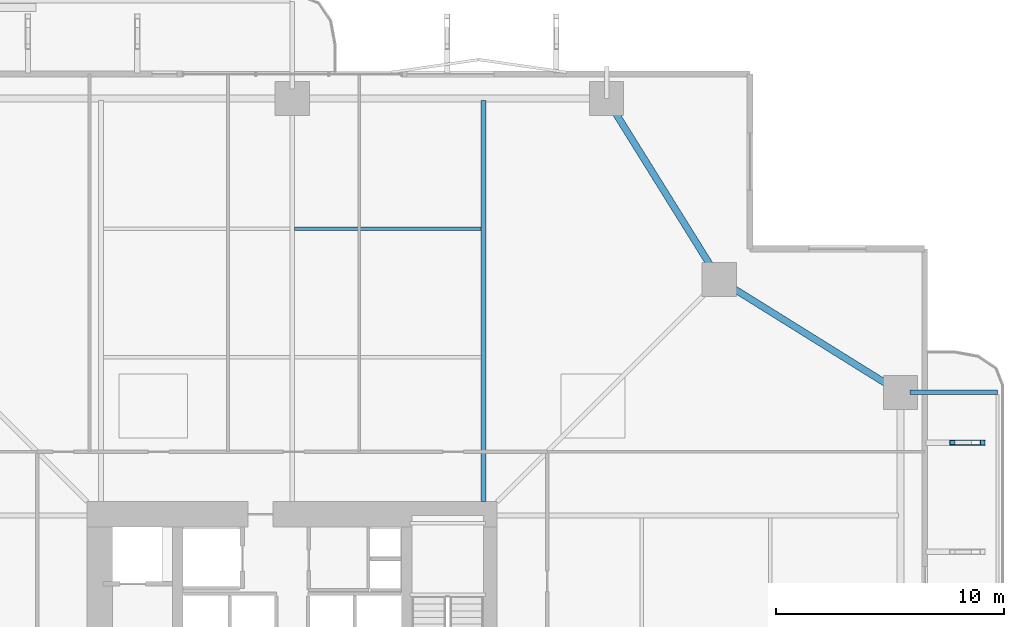
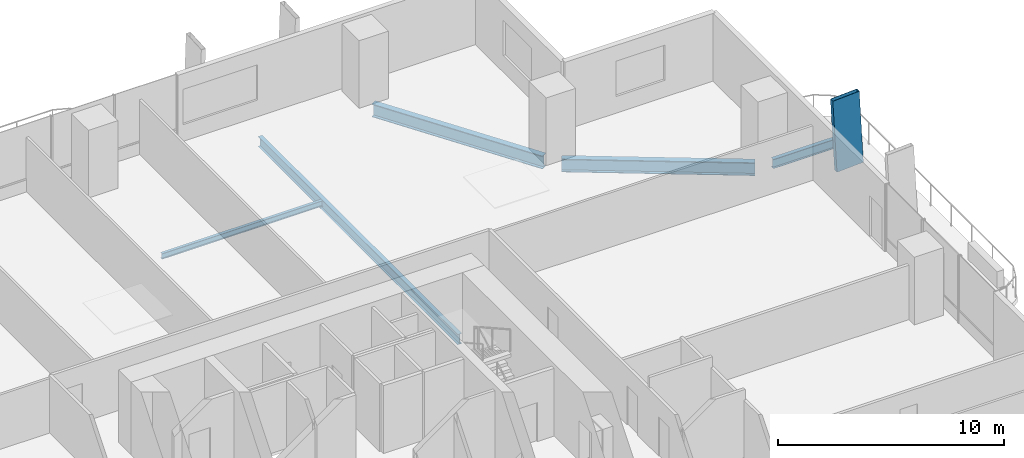
# One storey, part 14 of 24: 5 beams, 1 member.
"""IFC4 building model written with IfcOpenShell, lengths in metres."""

from ifc_helpers import new_model, si_unit, direction, frame, origin, origin_2d, place, context, subcontext, project, spatial, hollow_rectangle, i_section, extrude, material, material_profile, profile_set, type_object, element, save


model = new_model("IFC4")

# Units and contexts
model_context = context("Model", 3, precision=1e-05, world=origin(), true_north=direction((0.0, 1.0)))
body_context = subcontext(model_context, "Body", "Model", "MODEL_VIEW")
ifc_project = project(units=[si_unit("LENGTHUNIT", "METRE"), si_unit("AREAUNIT", "SQUARE_METRE"), si_unit("VOLUMEUNIT", "CUBIC_METRE"), si_unit("PLANEANGLEUNIT", "RADIAN"), si_unit("MASSUNIT", "GRAM", prefix="KILO")], contexts=[model_context])

# Site, building, storey
site_placement = place(None, origin())
site = spatial("IfcSite", under=ifc_project, at=site_placement, CompositionType="ELEMENT")
building_placement = place(site_placement, origin())
building = spatial("IfcBuilding", under=site, at=building_placement, Name="Belovzor Exchange Tower", CompositionType="ELEMENT")
storey_placement = place(building_placement, frame((0.0, 0.0, 61.199951171875)))
storey = spatial("IfcBuildingStorey", under=building, at=storey_placement, Name="L14", CompositionType="ELEMENT", Elevation=61.199951171875)

# Member
ifc_material_1 = material(Name="Extruded Architectural Terracotta on Steel S355 Carrier", Category="masonry")
ifc_material_profile_1 = material_profile(ifc_material_1, hollow_rectangle(XDim=0.219970703125, YDim=1.35009765625, WallThickness=0.013916015625, at=origin_2d()))
ifc_profile_set_1 = profile_set([ifc_material_profile_1], Name="Extruded Architectural Terracotta on Steel S355 Carrier")
member_type = type_object("IfcMemberType", Name="Base Arc Sweeping Terracotta Pylon Fin 1450", PredefinedType="USERDEFINED", material=ifc_profile_set_1)
member_placement = place(storey_placement, frame((58.549072265625, 40.39990234375, -0.25), z_axis=(-0.053756276307, 0.0, 0.998554086045), x_axis=(0.0, -1.0, 0.0)))
element("IfcMember", 1, at=member_placement, inside=storey, type_object=member_type, Name="FIN-TC145 Terracotta Facade Fin L14 E4", ObjectType="FIN", PredefinedType="USERDEFINED", context=body_context, shape_type="SweptSolid", body=[
    extrude(hollow_rectangle(XDim=0.219970703125, YDim=1.35009765625, WallThickness=0.013916015625, at=origin_2d()), origin(), (0.0, 0.0, 1.0), 3.90576171875),
])

# Beams
ifc_material_2 = material(Name="Steel S355", Category="steel")
ifc_material_profile_2 = material_profile(ifc_material_2, i_section(OverallWidth=0.199951171875, OverallDepth=0.5, WebThickness=0.01025390625, FlangeThickness=0.01611328125, at=origin_2d()))
ifc_profile_set_2 = profile_set([ifc_material_profile_2], Name="Steel S355")
beam_type_1 = type_object("IfcBeamType", Name="Planted Balcony Cantilever Beam IPE 500", PredefinedType="BEAM", material=ifc_profile_set_2)
beam_1_placement = place(storey_placement, frame((55.9130859375, 42.60009765625, -0.5), z_axis=(1.0, 0.0, 0.0), x_axis=(0.0, 1.0, 0.0)))
element("IfcBeam", 2, at=beam_1_placement, inside=storey, type_object=beam_type_1, Name="BC-500 Planted Balcony Cantilever Beam IPE 500", PredefinedType="BEAM", context=body_context, shape_type="SweptSolid", body=[
    extrude(i_section(OverallWidth=0.199951171875, OverallDepth=0.5, WebThickness=0.01025390625, FlangeThickness=0.01611328125, at=origin_2d()), origin(), (0.0, 0.0, 1.0), 3.849853515625),
])
ifc_material_3 = material(Name="Steel S355", Category="steel")
ifc_material_profile_3 = material_profile(ifc_material_3, i_section(OverallWidth=0.14990234375, OverallDepth=0.300048828125, WebThickness=0.007080078125, FlangeThickness=0.0107421875, at=origin_2d()))
ifc_profile_set_3 = profile_set([ifc_material_profile_3], Name="Steel S355")
beam_type_2 = type_object("IfcBeamType", Name="Secondary Trim Floor Joist IPE 300", PredefinedType="BEAM", material=ifc_profile_set_3)
beam_2_placement = place(storey_placement, frame((28.905029296875, 49.784912109375, -0.39990234375), z_axis=(1.0, 0.0, 0.0), x_axis=(0.0, 1.0, 0.0)))
element("IfcBeam", 3, at=beam_2_placement, inside=storey, type_object=beam_type_2, Name="FJ-300 Secondary Trim Floor Joist IPE 300", PredefinedType="BEAM", context=body_context, shape_type="SweptSolid", body=[
    extrude(i_section(OverallWidth=0.14990234375, OverallDepth=0.300048828125, WebThickness=0.007080078125, FlangeThickness=0.0107421875, at=origin_2d()), origin(), (0.0, 0.0, 1.0), 8.18994140625),
])
ifc_material_4 = material(Name="Steel S355", Category="steel")
ifc_material_profile_4 = material_profile(ifc_material_4, i_section(OverallWidth=0.300048828125, OverallDepth=0.699951171875, WebThickness=0.01708984375, FlangeThickness=0.031982421875, at=origin_2d()))
ifc_profile_set_4 = profile_set([ifc_material_profile_4], Name="Steel S355")
beam_type_3 = type_object("IfcBeamType", Name="Zone 1 Primary Perimeter Girder HEB 700", PredefinedType="BEAM", material=ifc_profile_set_4)
for number, where, z_axis, x_axis, name in (
    (4, (55.14990234375, 42.818115234375, -0.599853515625), (-0.848909251292, 0.528538629686, 0.0), (-0.528538629686, -0.848909251292, 0.0), "FG-Z1 Zone 1 Primary Perimeter Girder HEB 700"),
    (5, (47.33203125, 47.89990234375, -0.599853515625), (-0.528538629686, 0.848909251292, 0.0), (-0.848909251292, -0.528538629686, 0.0), "FG-Z1 Zone 1 Primary Perimeter Girder HEB 700"),
):
    element("IfcBeam", number, at=place(storey_placement, frame(where, z_axis=z_axis, x_axis=x_axis)), inside=storey, type_object=beam_type_3, Name=name, PredefinedType="BEAM", context=body_context, shape_type="SweptSolid", body=[
        extrude(i_section(OverallWidth=0.300048828125, OverallDepth=0.699951171875, WebThickness=0.01708984375, FlangeThickness=0.031982421875, at=origin_2d()), origin(), (0.0, 0.0, 1.0), 8.540283203125),
    ])
ifc_material_5 = material(Name="Steel S355", Category="steel")
ifc_material_profile_5 = material_profile(ifc_material_5, i_section(OverallWidth=0.2099609375, OverallDepth=0.550048828125, WebThickness=0.010986328125, FlangeThickness=0.01708984375, at=origin_2d()))
ifc_profile_set_5 = profile_set([ifc_material_profile_5], Name="Steel S355")
beam_type_4 = type_object("IfcBeamType", Name="Zone 1 Radial Composite Floor Beam IPE 550", PredefinedType="BEAM", material=ifc_profile_set_5)
beam_3_placement = place(storey_placement, frame((37.199951171875, 37.800048828125, -0.52490234375), z_axis=(0.0, 1.0, 0.0), x_axis=(-1.0, 0.0, 0.0)))
element("IfcBeam", 6, at=beam_3_placement, inside=storey, type_object=beam_type_4, Name="FB-550 Zone 1 Radial Composite Floor Beam IPE 550", PredefinedType="BEAM", context=body_context, shape_type="SweptSolid", body=[
    extrude(i_section(OverallWidth=0.2099609375, OverallDepth=0.550048828125, WebThickness=0.010986328125, FlangeThickness=0.01708984375, at=origin_2d()), origin(), (0.0, 0.0, 1.0), 17.625),
])

save(model, "model.ifc")
